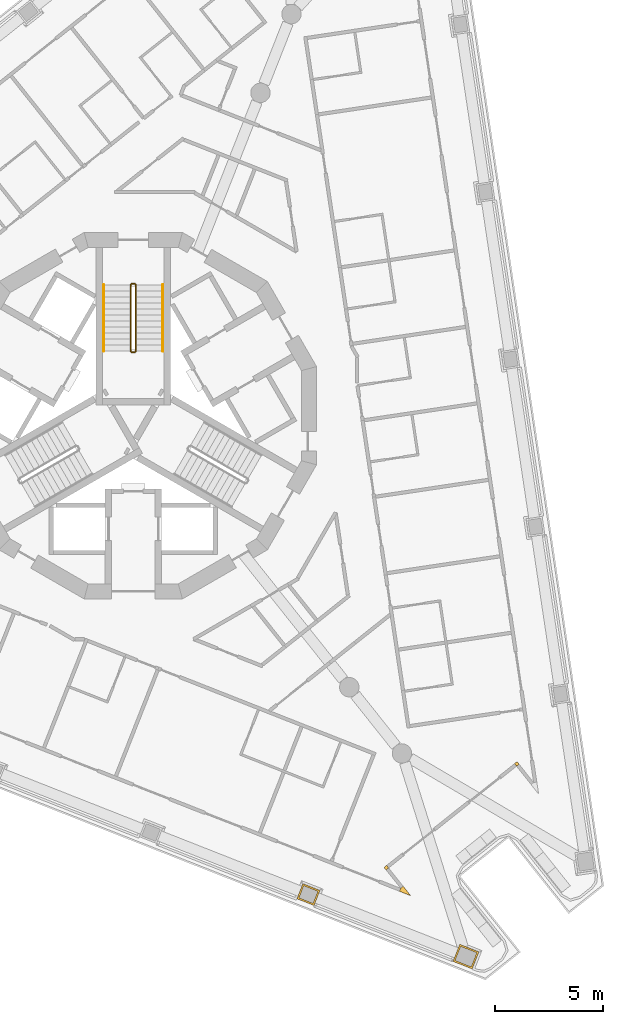
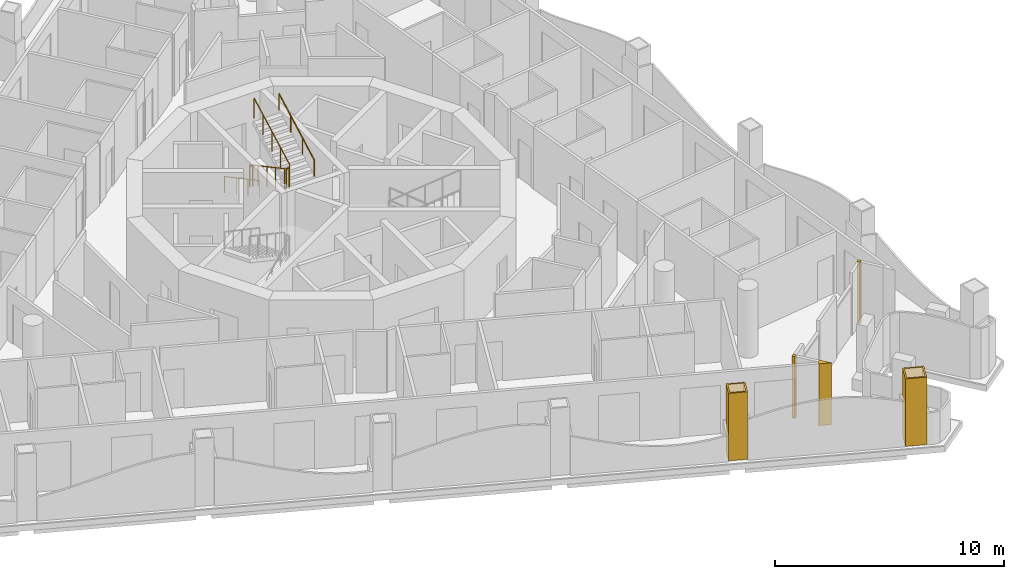
# One storey, part 14 of 17: 6 railings, 5 coverings.
"""IFC4 building model written with IfcOpenShell, lengths in metres."""

from ifc_helpers import new_model, si_unit, direction, frame, origin, origin_2d, place, context, subcontext, project, spatial, polyline, circle, outline, extrude, material, layer, layer_set, type_object, element, save


model = new_model("IFC4")

# Units and contexts
model_context = context("Model", 3, precision=1e-05, world=origin(), true_north=direction((0.0, 1.0)))
body_context = subcontext(model_context, "Body", "Model", "MODEL_VIEW")
ifc_project = project(units=[si_unit("LENGTHUNIT", "METRE"), si_unit("AREAUNIT", "SQUARE_METRE"), si_unit("VOLUMEUNIT", "CUBIC_METRE"), si_unit("PLANEANGLEUNIT", "RADIAN"), si_unit("MASSUNIT", "GRAM", prefix="KILO")], contexts=[model_context])

# Site, building, storey
site_placement = place(None, origin())
site = spatial("IfcSite", under=ifc_project, at=site_placement, CompositionType="ELEMENT")
building_placement = place(site_placement, origin())
building = spatial("IfcBuilding", under=site, at=building_placement, Name="Trine Commons Tower", CompositionType="ELEMENT")
storey_placement = place(building_placement, frame((0.0, 0.0, 216.0)))
storey = spatial("IfcBuildingStorey", under=building, at=storey_placement, Name="L56", CompositionType="ELEMENT", Elevation=216.0)

# Coverings
ifc_material_1 = material(Name="Aluminium-framed insulated wall panel", Category="aluminium")
ifc_layer_1 = layer(ifc_material_1, 0.14990234375)
ifc_layer_set_1 = layer_set([ifc_layer_1], Name="Aluminium-framed insulated wall panel")
covering_type_1 = type_object("IfcCoveringType", Name="Glazing corner post, aluminium", PredefinedType="CLADDING", material=ifc_layer_set_1)
covering_1_placement = place(storey_placement, origin())
element("IfcCovering", 1, at=covering_1_placement, inside=storey, type_object=covering_type_1, Name="Glazing corner post 6-07", PredefinedType="CLADDING", context=body_context, shape_type="SweptSolid", body=[
    extrude(outline(polyline([(97.682861328125, 46.35791015625), (97.7763671875, 46.240478515625), (97.7763671875, 46.240478515625), (97.893798828125, 46.333740234375), (97.80029296875, 46.451171875), (97.80029296875, 46.451171875), (97.682861328125, 46.35791015625)])), origin(), (0.0, 0.0, 1.0), 3.300048828125),
])
covering_2_placement = place(storey_placement, origin())
element("IfcCovering", 2, at=covering_2_placement, inside=storey, type_object=covering_type_1, Name="Glazing corner post 6-08", PredefinedType="CLADDING", context=body_context, shape_type="SweptSolid", body=[
    extrude(outline(polyline([(91.726806640625, 41.42822265625), (91.843994140625, 41.521728515625), (91.750732421875, 41.63916015625), (91.63330078125, 41.545654296875), (91.726806640625, 41.42822265625)])), origin(), (0.0, 0.0, 1.0), 3.300048828125),
])
covering_3_placement = place(storey_placement, origin())
element("IfcCovering", 3, at=covering_3_placement, inside=storey, type_object=covering_type_1, Name="Glazing corner post 6-09", PredefinedType="CLADDING", context=body_context, shape_type="SweptSolid", body=[
    extrude(outline(polyline([(92.34765625, 40.439208984375), (92.868408203125, 40.23388671875), (92.52001953125, 40.672119140625), (92.402587890625, 40.57861328125), (92.34765625, 40.439208984375)])), origin(), (0.0, 0.0, 1.0), 3.300048828125),
])
ifc_material_2 = material(Name="Limestone, honed", Category="masonry")
ifc_layer_2 = layer(ifc_material_2, 0.074951171875)
ifc_layer_set_2 = layer_set([ifc_layer_2], Name="Limestone, honed")
covering_type_2 = type_object("IfcCoveringType", Name="Limestone column cladding 75", PredefinedType="CLADDING", material=ifc_layer_set_2)
covering_4_placement = place(storey_placement, origin())
element("IfcCovering", 4, at=covering_4_placement, inside=storey, type_object=covering_type_2, Name="Limestone pier cladding 6-01", PredefinedType="CLADDING", context=body_context, shape_type="SweptSolid", body=[
    extrude(outline(polyline([(95.143310546875, 37.978271484375), (94.831787109375, 37.1875), (95.715576171875, 36.839111328125), (96.027099609375, 37.6298828125), (95.143310546875, 37.978271484375)]), holes=[polyline([(95.185546875, 37.880859375), (94.928955078125, 37.229736328125), (95.67333984375, 36.9365234375), (95.9296875, 37.587646484375), (95.185546875, 37.880859375)])]), origin(), (0.0, 0.0, 1.0), 3.60009765625),
])
covering_5_placement = place(storey_placement, origin())
element("IfcCovering", 5, at=covering_5_placement, inside=storey, type_object=covering_type_2, Name="Limestone pier cladding 6-02", PredefinedType="CLADDING", context=body_context, shape_type="SweptSolid", body=[
    extrude(outline(polyline([(87.8671875, 40.790771484375), (87.59228515625, 40.093017578125), (88.383056640625, 39.78125), (88.657958984375, 40.47900390625), (87.8671875, 40.790771484375)]), holes=[polyline([(87.909423828125, 40.693359375), (87.689453125, 40.13525390625), (88.3408203125, 39.878662109375), (88.560791015625, 40.436767578125), (87.909423828125, 40.693359375)])]), origin(), (0.0, 0.0, 1.0), 3.60009765625),
])

# Railings
ifc_material_3 = material(Name="Stainless steel balustrade", Category="steel")
railing_type_1 = type_object("IfcRailingType", Name="Stair guard, steel balustrade 1100", PredefinedType="GUARDRAIL", material=ifc_material_3)
railing_1_placement = place(storey_placement, frame((79.875, 68.570556640625, 0.14990234375)))
element("IfcRailing", 6, at=railing_1_placement, inside=storey, type_object=railing_type_1, Name="L56 ST1C stair guard 1", PredefinedType="GUARDRAIL", context=body_context, shape_type="SweptSolid", body=[
    extrude(circle(Radius=0.02392578125, at=origin_2d()), frame((0.0, 0.0, 1.076171875), z_axis=(0.0, -0.881467505477, 0.472244678941), x_axis=(1.0, 0.0, 0.0)), (0.0, 0.0, 1.0), 3.494140625),
    extrude(circle(Radius=0.02099609375, at=origin_2d()), origin(), (0.0, 0.0, 1.0), 1.052001953125),
    extrude(circle(Radius=0.02099609375, at=origin_2d()), frame((0.0, -0.77001953125, 0.41259765625)), (0.0, 0.0, 1.0), 1.052001953125),
    extrude(circle(Radius=0.02099609375, at=origin_2d()), frame((0.0, -1.5400390625, 0.8251953125)), (0.0, 0.0, 1.0), 1.052001953125),
    extrude(circle(Radius=0.02099609375, at=origin_2d()), frame((0.0, -2.31005859375, 1.237548828125)), (0.0, 0.0, 1.0), 1.052001953125),
    extrude(circle(Radius=0.02099609375, at=origin_2d()), frame((0.0, -3.080078125, 1.650146484375)), (0.0, 0.0, 1.0), 1.052001953125),
])
railing_2_placement = place(storey_placement, frame((79.925048828125, 65.440673828125, 1.800048828125)))
element("IfcRailing", 7, at=railing_2_placement, inside=storey, type_object=railing_type_1, Name="L56 ST1C stair guard 2", PredefinedType="GUARDRAIL", context=body_context, shape_type="SweptSolid", body=[
    extrude(circle(Radius=0.02392578125, at=origin_2d()), frame((0.0, 0.0, 1.076171875), z_axis=(1.0, 0.0, 0.0), x_axis=(0.0, 1.0, 0.0)), (0.0, 0.0, 1.0), 0.14990234375),
    extrude(circle(Radius=0.02099609375, at=origin_2d()), origin(), (0.0, 0.0, 1.0), 1.052001953125),
    extrude(circle(Radius=0.02099609375, at=origin_2d()), frame((0.14990234375, 0.0, 0.0)), (0.0, 0.0, 1.0), 1.052001953125),
])
railing_3_placement = place(storey_placement, frame((80.125, 65.490478515625, 1.949951171875)))
element("IfcRailing", 8, at=railing_3_placement, inside=storey, type_object=railing_type_1, Name="L56 ST1C stair guard 3", PredefinedType="GUARDRAIL", context=body_context, shape_type="SweptSolid", body=[
    extrude(circle(Radius=0.02392578125, at=origin_2d()), frame((0.0, 0.0, 1.076171875), z_axis=(0.0, 0.881467505477, 0.472244678941), x_axis=(-1.0, 0.0, 0.0)), (0.0, 0.0, 1.0), 3.494140625),
    extrude(circle(Radius=0.02099609375, at=origin_2d()), origin(), (0.0, 0.0, 1.0), 1.052001953125),
    extrude(circle(Radius=0.02099609375, at=origin_2d()), frame((0.0, 0.77001953125, 0.41259765625)), (0.0, 0.0, 1.0), 1.052001953125),
    extrude(circle(Radius=0.02099609375, at=origin_2d()), frame((0.0, 1.5400390625, 0.8251953125)), (0.0, 0.0, 1.0), 1.052001953125),
    extrude(circle(Radius=0.02099609375, at=origin_2d()), frame((0.0, 2.31005859375, 1.237548828125)), (0.0, 0.0, 1.0), 1.052001953125),
    extrude(circle(Radius=0.02099609375, at=origin_2d()), frame((0.0, 3.080078125, 1.650146484375)), (0.0, 0.0, 1.0), 1.052001953125),
])
railing_4_placement = place(storey_placement, frame((79.925048828125, 68.62060546875, 0.0)))
element("IfcRailing", 9, at=railing_4_placement, inside=storey, type_object=railing_type_1, Name="L56 ST1C stair guard 4", PredefinedType="GUARDRAIL", context=body_context, shape_type="SweptSolid", body=[
    extrude(circle(Radius=0.02392578125, at=origin_2d()), frame((0.0, 0.0, 1.076171875), z_axis=(1.0, 0.0, 0.0), x_axis=(0.0, 1.0, 0.0)), (0.0, 0.0, 1.0), 0.14990234375),
    extrude(circle(Radius=0.02099609375, at=origin_2d()), origin(), (0.0, 0.0, 1.0), 1.052001953125),
    extrude(circle(Radius=0.02099609375, at=origin_2d()), frame((0.14990234375, 0.0, 0.0)), (0.0, 0.0, 1.0), 1.052001953125),
])
ifc_material_4 = material(Name="Stainless steel handrail", Category="steel")
railing_type_2 = type_object("IfcRailingType", Name="Stair handrail, steel 900", PredefinedType="HANDRAIL", material=ifc_material_4)
railing_5_placement = place(storey_placement, frame((78.625, 68.570556640625, 0.14990234375)))
element("IfcRailing", 10, at=railing_5_placement, inside=storey, type_object=railing_type_2, Name="L56 ST1C stair handrail 1", PredefinedType="HANDRAIL", context=body_context, shape_type="SweptSolid", body=[
    extrude(circle(Radius=0.02099609375, at=origin_2d()), frame((0.0, 0.0, 0.87890625), z_axis=(0.0, -0.881467505477, 0.472244678941), x_axis=(1.0, 0.0, 0.0)), (0.0, 0.0, 1.0), 3.494140625),
    extrude(circle(Radius=0.01513671875, at=origin_2d()), origin(), (0.0, 0.0, 1.0), 0.85791015625),
    extrude(circle(Radius=0.01513671875, at=origin_2d()), frame((0.0, -1.026611328125, 0.550048828125)), (0.0, 0.0, 1.0), 0.85791015625),
    extrude(circle(Radius=0.01513671875, at=origin_2d()), frame((0.0, -2.053466796875, 1.10009765625)), (0.0, 0.0, 1.0), 0.85791015625),
    extrude(circle(Radius=0.01513671875, at=origin_2d()), frame((0.0, -3.080078125, 1.650146484375)), (0.0, 0.0, 1.0), 0.85791015625),
])
railing_6_placement = place(storey_placement, frame((81.375, 65.490478515625, 1.949951171875)))
element("IfcRailing", 11, at=railing_6_placement, inside=storey, type_object=railing_type_2, Name="L56 ST1C stair handrail 2", PredefinedType="HANDRAIL", context=body_context, shape_type="SweptSolid", body=[
    extrude(circle(Radius=0.02099609375, at=origin_2d()), frame((0.0, 0.0, 0.87890625), z_axis=(0.0, 0.881467505477, 0.472244678941), x_axis=(-1.0, 0.0, 0.0)), (0.0, 0.0, 1.0), 3.494140625),
    extrude(circle(Radius=0.01513671875, at=origin_2d()), origin(), (0.0, 0.0, 1.0), 0.85791015625),
    extrude(circle(Radius=0.01513671875, at=origin_2d()), frame((0.0, 1.026611328125, 0.550048828125)), (0.0, 0.0, 1.0), 0.85791015625),
    extrude(circle(Radius=0.01513671875, at=origin_2d()), frame((0.0, 2.053466796875, 1.10009765625)), (0.0, 0.0, 1.0), 0.85791015625),
    extrude(circle(Radius=0.01513671875, at=origin_2d()), frame((0.0, 3.080078125, 1.650146484375)), (0.0, 0.0, 1.0), 0.85791015625),
])

save(model, "model.ifc")
